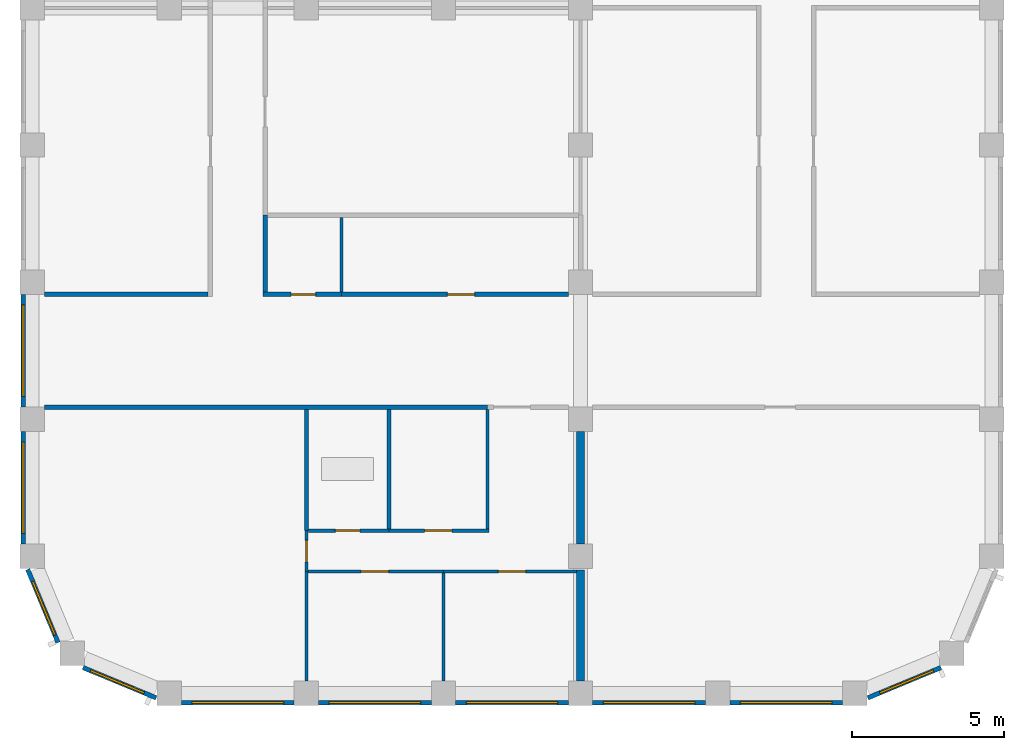
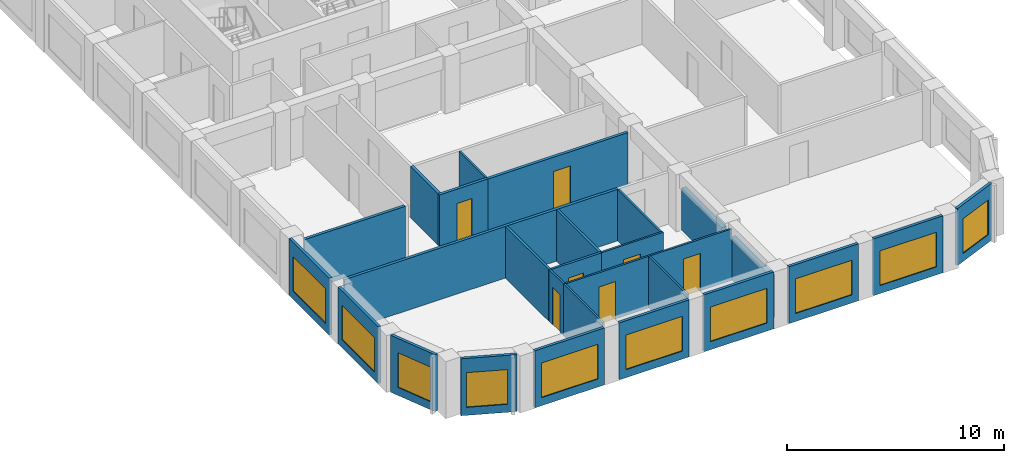
# One storey, part 2 of 9: 28 walls, 10 windows, 7 doors, 17 openings.
"""IFC4 building model written with IfcOpenShell, lengths in metres."""

from ifc_helpers import new_model, si_unit, direction, frame, frame_2d, origin, place, context, subcontext, project, spatial, rectangle, extrude, material, layer, layer_set, type_object, element, fill, save


model = new_model("IFC4")

# Units and contexts
model_context = context("Model", 3, precision=1e-05, world=origin(), true_north=direction((0.0, 1.0)))
body_context = subcontext(model_context, "Body", "Model", "MODEL_VIEW")
ifc_project = project(units=[si_unit("LENGTHUNIT", "METRE"), si_unit("AREAUNIT", "SQUARE_METRE"), si_unit("VOLUMEUNIT", "CUBIC_METRE"), si_unit("PLANEANGLEUNIT", "RADIAN"), si_unit("MASSUNIT", "GRAM", prefix="KILO")], contexts=[model_context])

# Site, building, storey
site_placement = place(None, origin())
site = spatial("IfcSite", under=ifc_project, at=site_placement, CompositionType="ELEMENT")
building_placement = place(site_placement, origin())
building = spatial("IfcBuilding", under=site, at=building_placement, Name="Girih Gate Residences", CompositionType="ELEMENT")
storey_placement = place(building_placement, frame((0.0, 0.0, 216.4951171875)))
storey = spatial("IfcBuildingStorey", under=building, at=storey_placement, Name="L60", CompositionType="ELEMENT", Elevation=216.4951171875)

# Walls
ifc_material_1 = material(Name="Gypsum board on steel studs", Category="steel")
ifc_layer_1 = layer(ifc_material_1, 0.25)
ifc_layer_set_1 = layer_set([ifc_layer_1], Name="Acoustic separating wall 250 mm")
wall_type_1 = type_object("IfcWallType", Name="Acoustic separating wall 250 mm", PredefinedType="PARTITIONING", material=ifc_layer_set_1)
wall_1_placement = place(storey_placement, frame((18.0, 0.39990234375, 0.0), z_axis=(0.0, 0.0, 1.0), x_axis=(0.0, 1.0, 0.0)))
element("IfcWall", 1, at=wall_1_placement, inside=storey, type_object=wall_type_1, Name="L60 partition", PredefinedType="PARTITIONING", context=body_context, shape_type="SweptSolid", body=[
    extrude(rectangle(XDim=3.650146484375, YDim=0.25, at=frame_2d((1.8251953125, 0.0))), origin(), (0.0, 0.0, 1.0), 2.3798828125),
])
wall_2_placement = place(storey_placement, frame((18.0, 4.89990234375, 0.0), z_axis=(0.0, 0.0, 1.0), x_axis=(0.0, 1.0, 0.0)))
element("IfcWall", 2, at=wall_2_placement, inside=storey, type_object=wall_type_1, Name="L60 partition", PredefinedType="PARTITIONING", context=body_context, shape_type="SweptSolid", body=[
    extrude(rectangle(XDim=3.7001953125, YDim=0.25, at=frame_2d((1.85009765625, 0.0))), origin(), (0.0, 0.0, 1.0), 2.3798828125),
])
ifc_layer_2 = layer(ifc_material_1, 0.14990234375)
ifc_layer_set_2 = layer_set([ifc_layer_2], Name="Compartment wall 150 mm")
wall_type_2 = type_object("IfcWallType", Name="Compartment wall 150 mm", PredefinedType="PARTITIONING", material=ifc_layer_set_2)
wall_3_placement = place(storey_placement, frame((0.39990234375, 9.39990234375, 0.0), z_axis=(0.0, 0.0, 1.0), x_axis=(1.0, 0.0, 0.0)))
element("IfcWall", 3, at=wall_3_placement, inside=storey, type_object=wall_type_2, Name="L60 partition", PredefinedType="PARTITIONING", context=body_context, shape_type="SweptSolid", body=[
    extrude(rectangle(XDim=14.550048828125, YDim=0.14990234375, at=frame_2d((7.27490234375, 0.0))), origin(), (0.0, 0.0, 1.0), 2.89990234375),
])

# Wall, opening, door
wall_4_placement = place(storey_placement, frame((10.14990234375, 13.10009765625, 0.0), z_axis=(0.0, 0.0, 1.0), x_axis=(1.0, 0.0, 0.0)))
wall_4 = element("IfcWall", 4, at=wall_4_placement, inside=storey, type_object=wall_type_2, Name="L60 partition", PredefinedType="PARTITIONING", context=body_context, shape_type="SweptSolid", body=[
    extrude(rectangle(XDim=7.4501953125, YDim=0.14990234375, at=frame_2d((3.72509765625, 0.0))), origin(), (0.0, 0.0, 1.0), 2.89990234375),
])
opening_1_placement = place(wall_4_placement, frame((3.47509765625, 0.0, 0.0)))
opening_1 = element("IfcOpeningElement", 5, at=opening_1_placement, cuts=wall_4, Name="Opening A60-023", PredefinedType="OPENING", context=body_context, shape_type="SweptSolid", body=[
    extrude(rectangle(XDim=0.89990234375, YDim=2.10009765625, at=frame_2d((0.449951171875, 1.050048828125))), frame((0.0, 0.0849609375, 0.0), z_axis=(0.0, -1.0, 0.0), x_axis=(1.0, 0.0, 0.0)), (0.0, 0.0, 1.0), 0.169921875),
])
ifc_material_2 = material(Name="Timber", Category="wood")
door_type_1 = type_object("IfcDoorType", Name="Service room door 900x2100", OperationType="NOTDEFINED", PredefinedType="DOOR", material=ifc_material_2)
door_1_placement = place(opening_1_placement, origin())
door_1 = element("IfcDoor", 6, at=door_1_placement, inside=storey, type_object=door_type_1, Name="Door A60-023", OperationType="SINGLE_SWING_RIGHT", OverallHeight=2.10009765625, OverallWidth=0.89990234375, PredefinedType="DOOR", context=body_context, shape_type="SweptSolid", body=[
    extrude(rectangle(XDim=0.89990234375, YDim=2.10009765625, at=frame_2d((0.449951171875, 1.050048828125))), frame((0.0, 0.02490234375, 0.0), z_axis=(0.0, -1.0, 0.0), x_axis=(1.0, 0.0, 0.0)), (0.0, 0.0, 1.0), 0.050048828125),
])
fill(opening_1, door_1)

wall_5_placement = place(storey_placement, frame((7.574951171875, 13.10009765625, 0.0), z_axis=(0.0, 0.0, 1.0), x_axis=(1.0, 0.0, 0.0)))
wall_5 = element("IfcWall", 7, at=wall_5_placement, inside=storey, type_object=wall_type_2, Name="L60 partition", PredefinedType="PARTITIONING", context=body_context, shape_type="SweptSolid", body=[
    extrude(rectangle(XDim=2.574951171875, YDim=0.14990234375, at=frame_2d((1.28759765625, 0.0))), origin(), (0.0, 0.0, 1.0), 2.89990234375),
])
opening_2_placement = place(wall_5_placement, frame((0.925048828125, 0.0, 0.0)))
opening_2 = element("IfcOpeningElement", 8, at=opening_2_placement, cuts=wall_5, Name="Opening A60-024", PredefinedType="OPENING", context=body_context, shape_type="SweptSolid", body=[
    extrude(rectangle(XDim=0.800048828125, YDim=2.10009765625, at=frame_2d((0.39990234375, 1.050048828125))), frame((0.0, 0.0849609375, 0.0), z_axis=(0.0, -1.0, 0.0), x_axis=(1.0, 0.0, 0.0)), (0.0, 0.0, 1.0), 0.169921875),
])
door_type_2 = type_object("IfcDoorType", Name="Bathroom door 800x2100", OperationType="NOTDEFINED", PredefinedType="DOOR", material=ifc_material_2)
door_2_placement = place(opening_2_placement, origin())
door_2 = element("IfcDoor", 9, at=door_2_placement, inside=storey, type_object=door_type_2, Name="Door A60-024", OperationType="SINGLE_SWING_RIGHT", OverallHeight=2.10009765625, OverallWidth=0.800048828125, PredefinedType="DOOR", context=body_context, shape_type="SweptSolid", body=[
    extrude(rectangle(XDim=0.800048828125, YDim=2.10009765625, at=frame_2d((0.39990234375, 1.050048828125))), frame((0.0, 0.02490234375, 0.0), z_axis=(0.0, -1.0, 0.0), x_axis=(1.0, 0.0, 0.0)), (0.0, 0.0, 1.0), 0.050048828125),
])
fill(opening_2, door_2)

# Walls
wall_6_placement = place(storey_placement, frame((0.39990234375, 13.10009765625, 0.0), z_axis=(0.0, 0.0, 1.0), x_axis=(1.0, 0.0, 0.0)))
element("IfcWall", 10, at=wall_6_placement, inside=storey, type_object=wall_type_2, Name="L60 partition", PredefinedType="PARTITIONING", context=body_context, shape_type="SweptSolid", body=[
    extrude(rectangle(XDim=5.375, YDim=0.14990234375, at=frame_2d((2.6875, 0.0))), origin(), (0.0, 0.0, 1.0), 2.89990234375),
])
wall_7_placement = place(storey_placement, frame((7.64990234375, 13.175048828125, 0.0), z_axis=(0.0, 0.0, 1.0), x_axis=(0.0, 1.0, 0.0)))
element("IfcWall", 11, at=wall_7_placement, inside=storey, type_object=wall_type_2, Name="L60 partition", PredefinedType="PARTITIONING", context=body_context, shape_type="SweptSolid", body=[
    extrude(rectangle(XDim=2.52490234375, YDim=0.14990234375, at=frame_2d((1.262451171875, 0.0))), origin(), (0.0, 0.0, 1.0), 2.89990234375),
])
ifc_layer_3 = layer(ifc_material_1, 0.10009765625)
ifc_layer_set_3 = layer_set([ifc_layer_3], Name="Partition 100 mm")
wall_type_3 = type_object("IfcWallType", Name="Partition 100 mm", PredefinedType="PARTITIONING", material=ifc_layer_set_3)
wall_8_placement = place(storey_placement, frame((13.5, 0.39990234375, 0.0), z_axis=(0.0, 0.0, 1.0), x_axis=(0.0, 1.0, 0.0)))
element("IfcWall", 12, at=wall_8_placement, inside=storey, type_object=wall_type_3, Name="L60 partition", PredefinedType="PARTITIONING", context=body_context, shape_type="SweptSolid", body=[
    extrude(rectangle(XDim=3.550048828125, YDim=0.10009765625, at=frame_2d((1.77490234375, 0.0))), origin(), (0.0, 0.0, 1.0), 2.89990234375),
])

# Wall, opening, door
wall_9_placement = place(storey_placement, frame((13.5, 4.0, 0.0), z_axis=(0.0, 0.0, 1.0), x_axis=(-1.0, 0.0, 0.0)))
wall_9 = element("IfcWall", 13, at=wall_9_placement, inside=storey, type_object=wall_type_3, Name="L60 partition", PredefinedType="PARTITIONING", context=body_context, shape_type="SweptSolid", body=[
    extrude(rectangle(XDim=4.449951171875, YDim=0.10009765625, at=frame_2d((2.22509765625, 0.0))), origin(), (0.0, 0.0, 1.0), 2.89990234375),
])
opening_3_placement = place(wall_9_placement, frame((1.800048828125, 0.0, 0.0)))
opening_3 = element("IfcOpeningElement", 14, at=opening_3_placement, cuts=wall_9, Name="Opening A60-002", PredefinedType="OPENING", context=body_context, shape_type="SweptSolid", body=[
    extrude(rectangle(XDim=0.89990234375, YDim=2.10009765625, at=frame_2d((0.449951171875, 1.050048828125))), frame((0.0, 0.06005859375, 0.0), z_axis=(0.0, -1.0, 0.0), x_axis=(1.0, 0.0, 0.0)), (0.0, 0.0, 1.0), 0.1201171875),
])
door_type_3 = type_object("IfcDoorType", Name="Bedroom door 900x2100", OperationType="NOTDEFINED", PredefinedType="DOOR", material=ifc_material_2)
door_3_placement = place(opening_3_placement, origin())
door_3 = element("IfcDoor", 15, at=door_3_placement, inside=storey, type_object=door_type_3, Name="Door A60-002", OperationType="SINGLE_SWING_RIGHT", OverallHeight=2.10009765625, OverallWidth=0.89990234375, PredefinedType="DOOR", context=body_context, shape_type="SweptSolid", body=[
    extrude(rectangle(XDim=0.89990234375, YDim=2.10009765625, at=frame_2d((0.449951171875, 1.050048828125))), frame((0.0, 0.02490234375, 0.0), z_axis=(0.0, -1.0, 0.0), x_axis=(1.0, 0.0, 0.0)), (0.0, 0.0, 1.0), 0.050048828125),
])
fill(opening_3, door_3)

# Wall
wall_10_placement = place(storey_placement, frame((9.0, 0.39990234375, 0.0), z_axis=(0.0, 0.0, 1.0), x_axis=(0.0, 1.0, 0.0)))
element("IfcWall", 16, at=wall_10_placement, inside=storey, type_object=wall_type_3, Name="L60 partition", PredefinedType="PARTITIONING", context=body_context, shape_type="SweptSolid", body=[
    extrude(rectangle(XDim=3.60009765625, YDim=0.10009765625, at=frame_2d((1.800048828125, 0.0))), origin(), (0.0, 0.0, 1.0), 2.89990234375),
])

# Wall, opening, door
wall_11_placement = place(storey_placement, frame((17.875, 4.0, 0.0), z_axis=(0.0, 0.0, 1.0), x_axis=(-1.0, 0.0, 0.0)))
wall_11 = element("IfcWall", 17, at=wall_11_placement, inside=storey, type_object=wall_type_3, Name="L60 partition", PredefinedType="PARTITIONING", context=body_context, shape_type="SweptSolid", body=[
    extrude(rectangle(XDim=4.375, YDim=0.10009765625, at=frame_2d((2.1875, 0.0))), origin(), (0.0, 0.0, 1.0), 2.89990234375),
])
opening_4_placement = place(wall_11_placement, frame((1.675048828125, 0.0, 0.0)))
opening_4 = element("IfcOpeningElement", 18, at=opening_4_placement, cuts=wall_11, Name="Opening A60-003", PredefinedType="OPENING", context=body_context, shape_type="SweptSolid", body=[
    extrude(rectangle(XDim=0.89990234375, YDim=2.10009765625, at=frame_2d((0.449951171875, 1.050048828125))), frame((0.0, 0.06005859375, 0.0), z_axis=(0.0, -1.0, 0.0), x_axis=(1.0, 0.0, 0.0)), (0.0, 0.0, 1.0), 0.1201171875),
])
door_4_placement = place(opening_4_placement, origin())
door_4 = element("IfcDoor", 19, at=door_4_placement, inside=storey, type_object=door_type_3, Name="Door A60-003", OperationType="SINGLE_SWING_LEFT", OverallHeight=2.10009765625, OverallWidth=0.89990234375, PredefinedType="DOOR", context=body_context, shape_type="SweptSolid", body=[
    extrude(rectangle(XDim=0.89990234375, YDim=2.10009765625, at=frame_2d((0.449951171875, 1.050048828125))), frame((0.0, 0.02490234375, 0.0), z_axis=(0.0, -1.0, 0.0), x_axis=(1.0, 0.0, 0.0)), (0.0, 0.0, 1.0), 0.050048828125),
])
fill(opening_4, door_4)

wall_12_placement = place(storey_placement, frame((11.70849609375, 5.340087890625, 0.0), z_axis=(0.0, 0.0, 1.0), x_axis=(1.0, 0.0, 0.0)))
wall_12 = element("IfcWall", 20, at=wall_12_placement, inside=storey, type_object=wall_type_3, Name="L60 partition", PredefinedType="PARTITIONING", context=body_context, shape_type="SweptSolid", body=[
    extrude(rectangle(XDim=3.29150390625, YDim=0.10009765625, at=frame_2d((1.645751953125, 0.0))), origin(), (0.0, 0.0, 1.0), 2.89990234375),
])
opening_5_placement = place(wall_12_placement, frame((1.170654296875, 0.0, 0.0)))
opening_5 = element("IfcOpeningElement", 21, at=opening_5_placement, cuts=wall_12, Name="Opening A60-004", PredefinedType="OPENING", context=body_context, shape_type="SweptSolid", body=[
    extrude(rectangle(XDim=0.89990234375, YDim=2.10009765625, at=frame_2d((0.449951171875, 1.050048828125))), frame((0.0, 0.06005859375, 0.0), z_axis=(0.0, -1.0, 0.0), x_axis=(1.0, 0.0, 0.0)), (0.0, 0.0, 1.0), 0.1201171875),
])
door_type_4 = type_object("IfcDoorType", Name="Kitchen door 900x2100", OperationType="NOTDEFINED", PredefinedType="DOOR", material=ifc_material_2)
door_5_placement = place(opening_5_placement, origin())
door_5 = element("IfcDoor", 22, at=door_5_placement, inside=storey, type_object=door_type_4, Name="Door A60-004", OperationType="SINGLE_SWING_LEFT", OverallHeight=2.10009765625, OverallWidth=0.89990234375, PredefinedType="DOOR", context=body_context, shape_type="SweptSolid", body=[
    extrude(rectangle(XDim=0.89990234375, YDim=2.10009765625, at=frame_2d((0.449951171875, 1.050048828125))), frame((0.0, 0.02490234375, 0.0), z_axis=(0.0, -1.0, 0.0), x_axis=(1.0, 0.0, 0.0)), (0.0, 0.0, 1.0), 0.050048828125),
])
fill(opening_5, door_5)

# Wall
wall_13_placement = place(storey_placement, frame((14.949951171875, 5.389892578125, 0.0), z_axis=(0.0, 0.0, 1.0), x_axis=(0.0, 1.0, 0.0)))
element("IfcWall", 23, at=wall_13_placement, inside=storey, type_object=wall_type_3, Name="L60 partition", PredefinedType="PARTITIONING", context=body_context, shape_type="SweptSolid", body=[
    extrude(rectangle(XDim=3.93505859375, YDim=0.10009765625, at=frame_2d((1.967529296875, 0.0))), origin(), (0.0, 0.0, 1.0), 2.89990234375),
])

# Wall, opening, door
wall_14_placement = place(storey_placement, frame((9.0, 4.0, 0.0), z_axis=(0.0, 0.0, 1.0), x_axis=(0.0, 1.0, 0.0)))
wall_14 = element("IfcWall", 24, at=wall_14_placement, inside=storey, type_object=wall_type_3, Name="L60 partition", PredefinedType="PARTITIONING", context=body_context, shape_type="SweptSolid", body=[
    extrude(rectangle(XDim=1.340087890625, YDim=0.10009765625, at=frame_2d((0.669921875, 0.0))), origin(), (0.0, 0.0, 1.0), 2.89990234375),
])
opening_6_placement = place(wall_14_placement, frame((0.320068359375, 0.0, 0.0)))
opening_6 = element("IfcOpeningElement", 25, at=opening_6_placement, cuts=wall_14, Name="Opening A60-005", PredefinedType="OPENING", context=body_context, shape_type="SweptSolid", body=[
    extrude(rectangle(XDim=0.699951171875, YDim=2.10009765625, at=frame_2d((0.35009765625, 1.050048828125))), frame((0.0, 0.06005859375, 0.0), z_axis=(0.0, -1.0, 0.0), x_axis=(1.0, 0.0, 0.0)), (0.0, 0.0, 1.0), 0.1201171875),
])
door_type_5 = type_object("IfcDoorType", Name="Narrow door 700x2100", OperationType="NOTDEFINED", PredefinedType="DOOR", material=ifc_material_2)
door_6_placement = place(opening_6_placement, origin())
door_6 = element("IfcDoor", 26, at=door_6_placement, inside=storey, type_object=door_type_5, Name="Door A60-005", OperationType="SINGLE_SWING_RIGHT", OverallHeight=2.10009765625, OverallWidth=0.699951171875, PredefinedType="DOOR", context=body_context, shape_type="SweptSolid", body=[
    extrude(rectangle(XDim=0.699951171875, YDim=2.10009765625, at=frame_2d((0.35009765625, 1.050048828125))), frame((0.0, 0.02490234375, 0.0), z_axis=(0.0, -1.0, 0.0), x_axis=(1.0, 0.0, 0.0)), (0.0, 0.0, 1.0), 0.050048828125),
])
fill(opening_6, door_6)

# Wall
wall_15_placement = place(storey_placement, frame((10.14990234375, 13.175048828125, 0.0), z_axis=(0.0, 0.0, 1.0), x_axis=(0.0, 1.0, 0.0)))
element("IfcWall", 27, at=wall_15_placement, inside=storey, type_object=wall_type_3, Name="L60 partition", PredefinedType="PARTITIONING", context=body_context, shape_type="SweptSolid", body=[
    extrude(rectangle(XDim=2.449951171875, YDim=0.10009765625, at=frame_2d((1.22509765625, 0.0))), origin(), (0.0, 0.0, 1.0), 2.89990234375),
])

# Wall, opening, window
ifc_material_3 = material(Name="Precast concrete C50/60", Category="concrete")
ifc_layer_4 = layer(ifc_material_3, 0.050048828125, Name="Outer leaf")
ifc_material_4 = material(Name="Rigid PIR insulation")
ifc_layer_5 = layer(ifc_material_4, 0.06005859375, Name="Insulation")
ifc_material_5 = material(Name="Precast concrete C40/50", Category="concrete")
ifc_layer_6 = layer(ifc_material_5, 0.0400390625, Name="Inner leaf")
ifc_layer_set_4 = layer_set([ifc_layer_4, ifc_layer_5, ifc_layer_6], Name="Precast concrete C50/60 external wall 150")
wall_type_4 = type_object("IfcWallType", Name="Precast concrete C50/60 external wall 150", PredefinedType="SOLIDWALL", material=ifc_layer_set_4)
wall_16_placement = place(storey_placement, frame((29.8330078125, 0.8486328125, 0.0), z_axis=(0.0, 0.0, 1.0), x_axis=(-0.923885342263, -0.382669406082, 0.0)))
wall_16 = element("IfcWall", 28, at=wall_16_placement, inside=storey, type_object=wall_type_4, Name="External wall SE0270_0000.0", PredefinedType="SOLIDWALL", context=body_context, shape_type="SweptSolid", body=[
    extrude(rectangle(XDim=2.602294921875, YDim=0.14990234375, at=frame_2d((1.30126953125, 0.0))), origin(), (0.0, 0.0, 1.0), 3.199951171875),
])
opening_7_placement = place(wall_16_placement, frame((0.27001953125, 0.0, 0.449951171875)))
opening_7 = element("IfcOpeningElement", 29, at=opening_7_placement, cuts=wall_16, Name="Opening W-2G", PredefinedType="OPENING", context=body_context, shape_type="SweptSolid", body=[
    extrude(rectangle(XDim=1.89990234375, YDim=1.949951171875, at=frame_2d((0.949951171875, 0.97509765625))), frame((0.0, 0.0849609375, 0.0), z_axis=(0.0, -1.0, 0.0), x_axis=(1.0, 0.0, 0.0)), (0.0, 0.0, 1.0), 0.169921875),
])
ifc_material_6 = material(Name="Double glazing in aluminium frame", Category="aluminium")
window_type_1 = type_object("IfcWindowType", Name="Window W-2G 1900x1950", PartitioningType="SINGLE_PANEL", PredefinedType="WINDOW", material=ifc_material_6)
window_1_placement = place(opening_7_placement, origin())
window_1 = element("IfcWindow", 30, at=window_1_placement, inside=storey, type_object=window_type_1, Name="Window W-2G SE0270_0000.0", OverallHeight=1.949951171875, OverallWidth=1.89990234375, PartitioningType="SINGLE_PANEL", PredefinedType="WINDOW", context=body_context, shape_type="SweptSolid", body=[
    extrude(rectangle(XDim=1.89990234375, YDim=1.949951171875, at=frame_2d((0.949951171875, 0.97509765625))), frame((0.0, 0.030029296875, 0.0), z_axis=(0.0, -1.0, 0.0), x_axis=(1.0, 0.0, 0.0)), (0.0, 0.0, 1.0), 0.06005859375),
])
fill(opening_7, window_1)

wall_17_placement = place(storey_placement, frame((-0.300048828125, 9.39990234375, 0.0), z_axis=(0.0, 0.0, 1.0), x_axis=(0.0, 1.0, 0.0)))
wall_17 = element("IfcWall", 31, at=wall_17_placement, inside=storey, type_object=wall_type_4, Name="External wall W0000_0450.7", PredefinedType="SOLIDWALL", context=body_context, shape_type="SweptSolid", body=[
    extrude(rectangle(XDim=3.7001953125, YDim=0.14990234375, at=frame_2d((1.85009765625, 0.0))), origin(), (0.0, 0.0, 1.0), 3.199951171875),
])
opening_8_placement = place(wall_17_placement, frame((0.35009765625, 0.0, 0.449951171875)))
opening_8 = element("IfcOpeningElement", 32, at=opening_8_placement, cuts=wall_17, Name="Opening W-1D", PredefinedType="OPENING", context=body_context, shape_type="SweptSolid", body=[
    extrude(rectangle(XDim=3.0, YDim=1.949951171875, at=frame_2d((1.5, 0.97509765625))), frame((0.0, 0.0849609375, 0.0), z_axis=(0.0, -1.0, 0.0), x_axis=(1.0, 0.0, 0.0)), (0.0, 0.0, 1.0), 0.169921875),
])
window_type_2 = type_object("IfcWindowType", Name="Window W-1D 3000x1950", PartitioningType="SINGLE_PANEL", PredefinedType="WINDOW", material=ifc_material_6)
window_2_placement = place(opening_8_placement, origin())
window_2 = element("IfcWindow", 33, at=window_2_placement, inside=storey, type_object=window_type_2, Name="Window W-1D W0000_0450.7", OverallHeight=1.949951171875, OverallWidth=3.0, PartitioningType="SINGLE_PANEL", PredefinedType="WINDOW", context=body_context, shape_type="SweptSolid", body=[
    extrude(rectangle(XDim=3.0, YDim=1.949951171875, at=frame_2d((1.5, 0.97509765625))), frame((0.0, 0.030029296875, 0.0), z_axis=(0.0, -1.0, 0.0), x_axis=(1.0, 0.0, 0.0)), (0.0, 0.0, 1.0), 0.06005859375),
])
fill(opening_8, window_2)

wall_18_placement = place(storey_placement, frame((-0.300048828125, 4.89990234375, 0.0), z_axis=(0.0, 0.0, 1.0), x_axis=(0.0, 1.0, 0.0)))
wall_18 = element("IfcWall", 34, at=wall_18_placement, inside=storey, type_object=wall_type_4, Name="External wall W0000_0450.8", PredefinedType="SOLIDWALL", context=body_context, shape_type="SweptSolid", body=[
    extrude(rectangle(XDim=3.7001953125, YDim=0.14990234375, at=frame_2d((1.85009765625, 0.0))), origin(), (0.0, 0.0, 1.0), 3.199951171875),
])
opening_9_placement = place(wall_18_placement, frame((0.35009765625, 0.0, 0.449951171875)))
opening_9 = element("IfcOpeningElement", 35, at=opening_9_placement, cuts=wall_18, Name="Opening W-1D", PredefinedType="OPENING", context=body_context, shape_type="SweptSolid", body=[
    extrude(rectangle(XDim=3.0, YDim=1.949951171875, at=frame_2d((1.5, 0.97509765625))), frame((0.0, 0.0849609375, 0.0), z_axis=(0.0, -1.0, 0.0), x_axis=(1.0, 0.0, 0.0)), (0.0, 0.0, 1.0), 0.169921875),
])
window_3_placement = place(opening_9_placement, origin())
window_3 = element("IfcWindow", 36, at=window_3_placement, inside=storey, type_object=window_type_2, Name="Window W-1D W0000_0450.8", OverallHeight=1.949951171875, OverallWidth=3.0, PartitioningType="SINGLE_PANEL", PredefinedType="WINDOW", context=body_context, shape_type="SweptSolid", body=[
    extrude(rectangle(XDim=3.0, YDim=1.949951171875, at=frame_2d((1.5, 0.97509765625))), frame((0.0, 0.030029296875, 0.0), z_axis=(0.0, -1.0, 0.0), x_axis=(1.0, 0.0, 0.0)), (0.0, 0.0, 1.0), 0.06005859375),
])
fill(opening_9, window_3)

wall_19_placement = place(storey_placement, frame((0.8486328125, 1.6669921875, 0.0), z_axis=(0.0, 0.0, 1.0), x_axis=(-0.382669406082, 0.923885342263, 0.0)))
wall_19 = element("IfcWall", 37, at=wall_19_placement, inside=storey, type_object=wall_type_4, Name="External wall SW0000_0045.0", PredefinedType="SOLIDWALL", context=body_context, shape_type="SweptSolid", body=[
    extrude(rectangle(XDim=2.602294921875, YDim=0.14990234375, at=frame_2d((1.30126953125, 0.0))), origin(), (0.0, 0.0, 1.0), 3.199951171875),
])
opening_10_placement = place(wall_19_placement, frame((0.27001953125, 0.0, 0.449951171875)))
opening_10 = element("IfcOpeningElement", 38, at=opening_10_placement, cuts=wall_19, Name="Opening W-2G", PredefinedType="OPENING", context=body_context, shape_type="SweptSolid", body=[
    extrude(rectangle(XDim=1.89990234375, YDim=1.949951171875, at=frame_2d((0.949951171875, 0.97509765625))), frame((0.0, 0.0849609375, 0.0), z_axis=(0.0, -1.0, 0.0), x_axis=(1.0, 0.0, 0.0)), (0.0, 0.0, 1.0), 0.169921875),
])
window_4_placement = place(opening_10_placement, origin())
window_4 = element("IfcWindow", 39, at=window_4_placement, inside=storey, type_object=window_type_1, Name="Window W-2G SW0000_0045.0", OverallHeight=1.949951171875, OverallWidth=1.89990234375, PartitioningType="SINGLE_PANEL", PredefinedType="WINDOW", context=body_context, shape_type="SweptSolid", body=[
    extrude(rectangle(XDim=1.89990234375, YDim=1.949951171875, at=frame_2d((0.949951171875, 0.97509765625))), frame((0.0, 0.030029296875, 0.0), z_axis=(0.0, -1.0, 0.0), x_axis=(1.0, 0.0, 0.0)), (0.0, 0.0, 1.0), 0.06005859375),
])
fill(opening_10, window_4)

wall_20_placement = place(storey_placement, frame((4.0712890625, -0.147216796875, 0.0), z_axis=(0.0, 0.0, 1.0), x_axis=(-0.923885342263, 0.382669406082, 0.0)))
wall_20 = element("IfcWall", 40, at=wall_20_placement, inside=storey, type_object=wall_type_4, Name="External wall SW0013_0013.0", PredefinedType="SOLIDWALL", context=body_context, shape_type="SweptSolid", body=[
    extrude(rectangle(XDim=2.602294921875, YDim=0.14990234375, at=frame_2d((1.30126953125, 0.0))), origin(), (0.0, 0.0, 1.0), 3.199951171875),
])
opening_11_placement = place(wall_20_placement, frame((0.432373046875, 0.0, 0.449951171875)))
opening_11 = element("IfcOpeningElement", 41, at=opening_11_placement, cuts=wall_20, Name="Opening W-2G", PredefinedType="OPENING", context=body_context, shape_type="SweptSolid", body=[
    extrude(rectangle(XDim=1.89990234375, YDim=1.949951171875, at=frame_2d((0.949951171875, 0.97509765625))), frame((0.0, 0.0849609375, 0.0), z_axis=(0.0, -1.0, 0.0), x_axis=(1.0, 0.0, 0.0)), (0.0, 0.0, 1.0), 0.169921875),
])
window_5_placement = place(opening_11_placement, origin())
window_5 = element("IfcWindow", 42, at=window_5_placement, inside=storey, type_object=window_type_1, Name="Window W-2G SW0013_0013.0", OverallHeight=1.949951171875, OverallWidth=1.89990234375, PartitioningType="SINGLE_PANEL", PredefinedType="WINDOW", context=body_context, shape_type="SweptSolid", body=[
    extrude(rectangle(XDim=1.89990234375, YDim=1.949951171875, at=frame_2d((0.949951171875, 0.97509765625))), frame((0.0, 0.030029296875, 0.0), z_axis=(0.0, -1.0, 0.0), x_axis=(1.0, 0.0, 0.0)), (0.0, 0.0, 1.0), 0.06005859375),
])
fill(opening_11, window_5)

wall_21_placement = place(storey_placement, frame((8.60009765625, -0.300048828125, 0.0), z_axis=(0.0, 0.0, 1.0), x_axis=(-1.0, 0.0, 0.0)))
wall_21 = element("IfcWall", 43, at=wall_21_placement, inside=storey, type_object=wall_type_4, Name="External wall S0045_0000.0", PredefinedType="SOLIDWALL", context=body_context, shape_type="SweptSolid", body=[
    extrude(rectangle(XDim=3.7001953125, YDim=0.14990234375, at=frame_2d((1.85009765625, 0.0))), origin(), (0.0, 0.0, 1.0), 3.199951171875),
])
opening_12_placement = place(wall_21_placement, frame((0.35009765625, 0.0, 0.449951171875)))
opening_12 = element("IfcOpeningElement", 44, at=opening_12_placement, cuts=wall_21, Name="Opening W-1D", PredefinedType="OPENING", context=body_context, shape_type="SweptSolid", body=[
    extrude(rectangle(XDim=3.0, YDim=1.949951171875, at=frame_2d((1.5, 0.97509765625))), frame((0.0, 0.0849609375, 0.0), z_axis=(0.0, -1.0, 0.0), x_axis=(1.0, 0.0, 0.0)), (0.0, 0.0, 1.0), 0.169921875),
])
window_6_placement = place(opening_12_placement, origin())
window_6 = element("IfcWindow", 45, at=window_6_placement, inside=storey, type_object=window_type_2, Name="Window W-1D S0045_0000.0", OverallHeight=1.949951171875, OverallWidth=3.0, PartitioningType="SINGLE_PANEL", PredefinedType="WINDOW", context=body_context, shape_type="SweptSolid", body=[
    extrude(rectangle(XDim=3.0, YDim=1.949951171875, at=frame_2d((1.5, 0.97509765625))), frame((0.0, 0.030029296875, 0.0), z_axis=(0.0, -1.0, 0.0), x_axis=(1.0, 0.0, 0.0)), (0.0, 0.0, 1.0), 0.06005859375),
])
fill(opening_12, window_6)

wall_22_placement = place(storey_placement, frame((13.10009765625, -0.300048828125, 0.0), z_axis=(0.0, 0.0, 1.0), x_axis=(-1.0, 0.0, 0.0)))
wall_22 = element("IfcWall", 46, at=wall_22_placement, inside=storey, type_object=wall_type_4, Name="External wall S0045_0000.1", PredefinedType="SOLIDWALL", context=body_context, shape_type="SweptSolid", body=[
    extrude(rectangle(XDim=3.7001953125, YDim=0.14990234375, at=frame_2d((1.85009765625, 0.0))), origin(), (0.0, 0.0, 1.0), 3.199951171875),
])
opening_13_placement = place(wall_22_placement, frame((0.35009765625, 0.0, 0.449951171875)))
opening_13 = element("IfcOpeningElement", 47, at=opening_13_placement, cuts=wall_22, Name="Opening W-1D", PredefinedType="OPENING", context=body_context, shape_type="SweptSolid", body=[
    extrude(rectangle(XDim=3.0, YDim=1.949951171875, at=frame_2d((1.5, 0.97509765625))), frame((0.0, 0.0849609375, 0.0), z_axis=(0.0, -1.0, 0.0), x_axis=(1.0, 0.0, 0.0)), (0.0, 0.0, 1.0), 0.169921875),
])
window_7_placement = place(opening_13_placement, origin())
window_7 = element("IfcWindow", 48, at=window_7_placement, inside=storey, type_object=window_type_2, Name="Window W-1D S0045_0000.1", OverallHeight=1.949951171875, OverallWidth=3.0, PartitioningType="SINGLE_PANEL", PredefinedType="WINDOW", context=body_context, shape_type="SweptSolid", body=[
    extrude(rectangle(XDim=3.0, YDim=1.949951171875, at=frame_2d((1.5, 0.97509765625))), frame((0.0, 0.030029296875, 0.0), z_axis=(0.0, -1.0, 0.0), x_axis=(1.0, 0.0, 0.0)), (0.0, 0.0, 1.0), 0.06005859375),
])
fill(opening_13, window_7)

wall_23_placement = place(storey_placement, frame((17.60009765625, -0.300048828125, 0.0), z_axis=(0.0, 0.0, 1.0), x_axis=(-1.0, 0.0, 0.0)))
wall_23 = element("IfcWall", 49, at=wall_23_placement, inside=storey, type_object=wall_type_4, Name="External wall S0045_0000.2", PredefinedType="SOLIDWALL", context=body_context, shape_type="SweptSolid", body=[
    extrude(rectangle(XDim=3.7001953125, YDim=0.14990234375, at=frame_2d((1.85009765625, 0.0))), origin(), (0.0, 0.0, 1.0), 3.199951171875),
])
opening_14_placement = place(wall_23_placement, frame((0.35009765625, 0.0, 0.449951171875)))
opening_14 = element("IfcOpeningElement", 50, at=opening_14_placement, cuts=wall_23, Name="Opening W-1D", PredefinedType="OPENING", context=body_context, shape_type="SweptSolid", body=[
    extrude(rectangle(XDim=3.0, YDim=1.949951171875, at=frame_2d((1.5, 0.97509765625))), frame((0.0, 0.0849609375, 0.0), z_axis=(0.0, -1.0, 0.0), x_axis=(1.0, 0.0, 0.0)), (0.0, 0.0, 1.0), 0.169921875),
])
window_8_placement = place(opening_14_placement, origin())
window_8 = element("IfcWindow", 51, at=window_8_placement, inside=storey, type_object=window_type_2, Name="Window W-1D S0045_0000.2", OverallHeight=1.949951171875, OverallWidth=3.0, PartitioningType="SINGLE_PANEL", PredefinedType="WINDOW", context=body_context, shape_type="SweptSolid", body=[
    extrude(rectangle(XDim=3.0, YDim=1.949951171875, at=frame_2d((1.5, 0.97509765625))), frame((0.0, 0.030029296875, 0.0), z_axis=(0.0, -1.0, 0.0), x_axis=(1.0, 0.0, 0.0)), (0.0, 0.0, 1.0), 0.06005859375),
])
fill(opening_14, window_8)

wall_24_placement = place(storey_placement, frame((22.10009765625, -0.300048828125, 0.0), z_axis=(0.0, 0.0, 1.0), x_axis=(-1.0, 0.0, 0.0)))
wall_24 = element("IfcWall", 52, at=wall_24_placement, inside=storey, type_object=wall_type_4, Name="External wall S0045_0000.3", PredefinedType="SOLIDWALL", context=body_context, shape_type="SweptSolid", body=[
    extrude(rectangle(XDim=3.7001953125, YDim=0.14990234375, at=frame_2d((1.85009765625, 0.0))), origin(), (0.0, 0.0, 1.0), 3.199951171875),
])
opening_15_placement = place(wall_24_placement, frame((0.35009765625, 0.0, 0.449951171875)))
opening_15 = element("IfcOpeningElement", 53, at=opening_15_placement, cuts=wall_24, Name="Opening W-1D", PredefinedType="OPENING", context=body_context, shape_type="SweptSolid", body=[
    extrude(rectangle(XDim=3.0, YDim=1.949951171875, at=frame_2d((1.5, 0.97509765625))), frame((0.0, 0.0849609375, 0.0), z_axis=(0.0, -1.0, 0.0), x_axis=(1.0, 0.0, 0.0)), (0.0, 0.0, 1.0), 0.169921875),
])
window_9_placement = place(opening_15_placement, origin())
window_9 = element("IfcWindow", 54, at=window_9_placement, inside=storey, type_object=window_type_2, Name="Window W-1D S0045_0000.3", OverallHeight=1.949951171875, OverallWidth=3.0, PartitioningType="SINGLE_PANEL", PredefinedType="WINDOW", context=body_context, shape_type="SweptSolid", body=[
    extrude(rectangle(XDim=3.0, YDim=1.949951171875, at=frame_2d((1.5, 0.97509765625))), frame((0.0, 0.030029296875, 0.0), z_axis=(0.0, -1.0, 0.0), x_axis=(1.0, 0.0, 0.0)), (0.0, 0.0, 1.0), 0.06005859375),
])
fill(opening_15, window_9)

wall_25_placement = place(storey_placement, frame((26.60009765625, -0.300048828125, 0.0), z_axis=(0.0, 0.0, 1.0), x_axis=(-1.0, 0.0, 0.0)))
wall_25 = element("IfcWall", 55, at=wall_25_placement, inside=storey, type_object=wall_type_4, Name="External wall S0045_0000.4", PredefinedType="SOLIDWALL", context=body_context, shape_type="SweptSolid", body=[
    extrude(rectangle(XDim=3.7001953125, YDim=0.14990234375, at=frame_2d((1.85009765625, 0.0))), origin(), (0.0, 0.0, 1.0), 3.199951171875),
])
opening_16_placement = place(wall_25_placement, frame((0.35009765625, 0.0, 0.449951171875)))
opening_16 = element("IfcOpeningElement", 56, at=opening_16_placement, cuts=wall_25, Name="Opening W-1D", PredefinedType="OPENING", context=body_context, shape_type="SweptSolid", body=[
    extrude(rectangle(XDim=3.0, YDim=1.949951171875, at=frame_2d((1.5, 0.97509765625))), frame((0.0, 0.0849609375, 0.0), z_axis=(0.0, -1.0, 0.0), x_axis=(1.0, 0.0, 0.0)), (0.0, 0.0, 1.0), 0.169921875),
])
window_10_placement = place(opening_16_placement, origin())
window_10 = element("IfcWindow", 57, at=window_10_placement, inside=storey, type_object=window_type_2, Name="Window W-1D S0045_0000.4", OverallHeight=1.949951171875, OverallWidth=3.0, PartitioningType="SINGLE_PANEL", PredefinedType="WINDOW", context=body_context, shape_type="SweptSolid", body=[
    extrude(rectangle(XDim=3.0, YDim=1.949951171875, at=frame_2d((1.5, 0.97509765625))), frame((0.0, 0.030029296875, 0.0), z_axis=(0.0, -1.0, 0.0), x_axis=(1.0, 0.0, 0.0)), (0.0, 0.0, 1.0), 0.06005859375),
])
fill(opening_16, window_10)

# Wall, opening, door
ifc_layer_7 = layer(ifc_material_1, 0.125)
ifc_layer_set_5 = layer_set([ifc_layer_7], Name="Wet room wall 125 mm")
wall_type_5 = type_object("IfcWallType", Name="Wet room wall 125 mm", PredefinedType="PARTITIONING", material=ifc_layer_set_5)
wall_26_placement = place(storey_placement, frame((9.0625, 5.340087890625, 0.0), z_axis=(0.0, 0.0, 1.0), x_axis=(1.0, 0.0, 0.0)))
wall_26 = element("IfcWall", 58, at=wall_26_placement, inside=storey, type_object=wall_type_5, Name="L60 partition", PredefinedType="PARTITIONING", context=body_context, shape_type="SweptSolid", body=[
    extrude(rectangle(XDim=2.64599609375, YDim=0.125, at=frame_2d((1.322998046875, 0.0))), origin(), (0.0, 0.0, 1.0), 2.89990234375),
])
opening_17_placement = place(wall_26_placement, frame((0.891845703125, 0.0, 0.0)))
opening_17 = element("IfcOpeningElement", 59, at=opening_17_placement, cuts=wall_26, Name="Opening A60-001", PredefinedType="OPENING", context=body_context, shape_type="SweptSolid", body=[
    extrude(rectangle(XDim=0.800048828125, YDim=2.10009765625, at=frame_2d((0.39990234375, 1.050048828125))), frame((0.0, 0.072509765625, 0.0), z_axis=(0.0, -1.0, 0.0), x_axis=(1.0, 0.0, 0.0)), (0.0, 0.0, 1.0), 0.14501953125),
])
door_7_placement = place(opening_17_placement, origin())
door_7 = element("IfcDoor", 60, at=door_7_placement, inside=storey, type_object=door_type_2, Name="Door A60-001", OperationType="SINGLE_SWING_LEFT", OverallHeight=2.10009765625, OverallWidth=0.800048828125, PredefinedType="DOOR", context=body_context, shape_type="SweptSolid", body=[
    extrude(rectangle(XDim=0.800048828125, YDim=2.10009765625, at=frame_2d((0.39990234375, 1.050048828125))), frame((0.0, 0.02490234375, 0.0), z_axis=(0.0, -1.0, 0.0), x_axis=(1.0, 0.0, 0.0)), (0.0, 0.0, 1.0), 0.050048828125),
])
fill(opening_17, door_7)

# Walls
wall_27_placement = place(storey_placement, frame((11.708984375, 5.402587890625, 0.0), z_axis=(0.0, 0.0, 1.0), x_axis=(0.0, 1.0, 0.0)))
element("IfcWall", 61, at=wall_27_placement, inside=storey, type_object=wall_type_5, Name="L60 partition", PredefinedType="PARTITIONING", context=body_context, shape_type="SweptSolid", body=[
    extrude(rectangle(XDim=3.92236328125, YDim=0.125, at=frame_2d((1.961181640625, 0.0))), origin(), (0.0, 0.0, 1.0), 2.89990234375),
])
wall_28_placement = place(storey_placement, frame((9.0, 5.340087890625, 0.0), z_axis=(0.0, 0.0, 1.0), x_axis=(0.0, 1.0, 0.0)))
element("IfcWall", 62, at=wall_28_placement, inside=storey, type_object=wall_type_5, Name="L60 partition", PredefinedType="PARTITIONING", context=body_context, shape_type="SweptSolid", body=[
    extrude(rectangle(XDim=3.98486328125, YDim=0.125, at=frame_2d((1.992431640625, 0.0))), origin(), (0.0, 0.0, 1.0), 2.89990234375),
])

save(model, "model.ifc")
